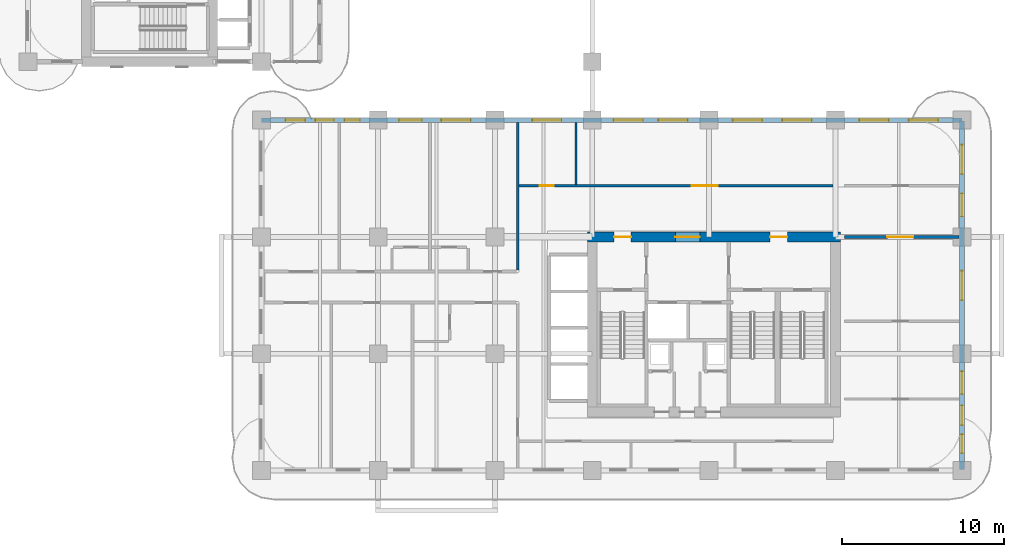
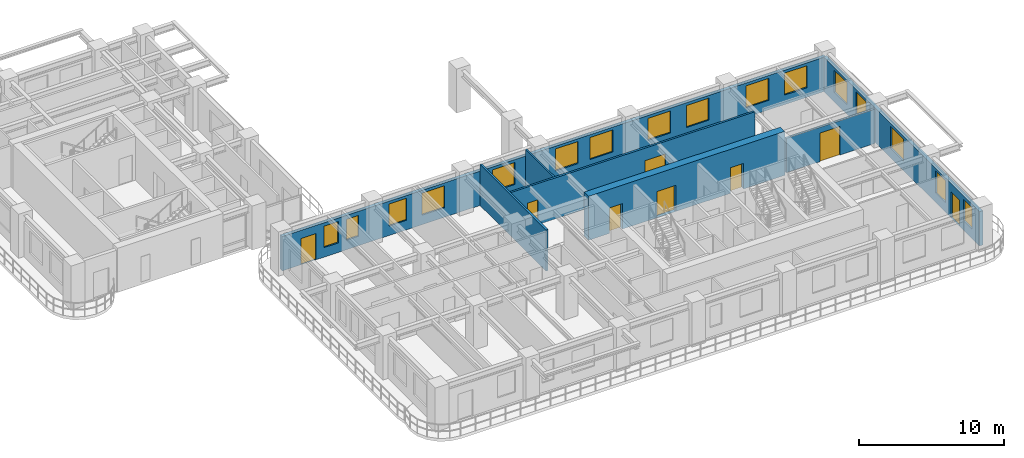
# One storey, part 9 of 18: 16 windows, 8 doors, 7 walls, 24 openings.
"""IFC4 building model written with IfcOpenShell, lengths in metres."""

from ifc_helpers import new_model, si_unit, derived_unit, direction, frame, frame_2d, origin, place, context, subcontext, project, spatial, rectangle, extrude, source, transform, mapped, material, layer, layer_set, type_object, type_shapes, element, fill, save


model = new_model("IFC4")

# Units and contexts
model_context = context("Model", 3, precision=1e-05, world=origin(), true_north=direction((0.0, 1.0)))
body_context = subcontext(model_context, "Body", "Model", "MODEL_VIEW")
ifc_project = project(units=[si_unit("LENGTHUNIT", "METRE"), si_unit("AREAUNIT", "SQUARE_METRE"), si_unit("VOLUMEUNIT", "CUBIC_METRE"), si_unit("PLANEANGLEUNIT", "RADIAN"), si_unit("MASSUNIT", "GRAM", prefix="KILO"), si_unit("THERMODYNAMICTEMPERATUREUNIT", "KELVIN"), si_unit("POWERUNIT", "WATT"), derived_unit("THERMALTRANSMITTANCEUNIT", [(si_unit("POWERUNIT", "WATT"), 1), (si_unit("AREAUNIT", "SQUARE_METRE"), -1), (si_unit("THERMODYNAMICTEMPERATUREUNIT", "KELVIN"), -1)])], contexts=[model_context])

# Site, building, storey
site_placement = place(None, origin())
site = spatial("IfcSite", under=ifc_project, at=site_placement, CompositionType="ELEMENT")
building_placement = place(site_placement, origin())
building = spatial("IfcBuilding", under=site, at=building_placement, Name="Zahravan Archway Hotel and Residences", CompositionType="ELEMENT")
storey_placement = place(building_placement, frame((0.0, 0.0, 50.89990234375)))
storey = spatial("IfcBuildingStorey", under=building, at=storey_placement, Name="L11", CompositionType="ELEMENT", Elevation=50.89990234375)

# Wall, openings, doors
ifc_material_1 = material(Name="Concrete C70/85", Category="concrete")
ifc_layer_1 = layer(ifc_material_1, 0.60009765625, Name="Concrete C70/85", Category="concrete")
ifc_layer_set_1 = layer_set([ifc_layer_1], Name="Concrete C70/85")
wall_type_1 = type_object("IfcWallType", Name="CW-CORE-600", PredefinedType="SHEAR", material=ifc_layer_set_1)
wall_1_placement = place(storey_placement, frame((34.5, 14.39990234375, 0.0), z_axis=(0.0, 0.0, 1.0), x_axis=(1.0, 0.0, 0.0)))
wall_1 = element("IfcWall", 1, at=wall_1_placement, inside=storey, type_object=wall_type_1, Name="L11 Core A Shear N Wall 600 mm", PredefinedType="SHEAR", context=body_context, shape_type="SweptSolid", body=[
    extrude(rectangle(XDim=15.60009765625, YDim=0.60009765625, at=frame_2d((7.800048828125, 0.0))), origin(), (0.0, 0.0, 1.0), 3.7001953125),
])
opening_1_placement = place(wall_1_placement, frame((5.429931640625, 0.0, 0.0)))
opening_1 = element("IfcOpeningElement", 2, at=opening_1_placement, cuts=wall_1, Name="Opening FD-L1", PredefinedType="OPENING", context=body_context, shape_type="SweptSolid", body=[
    extrude(rectangle(XDim=1.5, YDim=2.199951171875, at=frame_2d((0.75, 1.10009765625))), frame((0.0, 0.31005859375, 0.0), z_axis=(0.0, -1.0, 0.0), x_axis=(1.0, 0.0, 0.0)), (0.0, 0.0, 1.0), 0.6201171875),
])
opening_2_placement = place(wall_1_placement, frame((1.64501953125, 0.0, 0.0)))
opening_2 = element("IfcOpeningElement", 3, at=opening_2_placement, cuts=wall_1, Name="Opening FD-L2", PredefinedType="OPENING", context=body_context, shape_type="SweptSolid", body=[
    extrude(rectangle(XDim=1.050048828125, YDim=2.14990234375, at=frame_2d((0.52490234375, 1.074951171875))), frame((0.0, 0.31005859375, 0.0), z_axis=(0.0, -1.0, 0.0), x_axis=(1.0, 0.0, 0.0)), (0.0, 0.0, 1.0), 0.6201171875),
])
opening_3_placement = place(wall_1_placement, frame((11.27490234375, 0.0, 0.0)))
opening_3 = element("IfcOpeningElement", 4, at=opening_3_placement, cuts=wall_1, Name="Opening FD-L2", PredefinedType="OPENING", context=body_context, shape_type="SweptSolid", body=[
    extrude(rectangle(XDim=1.050048828125, YDim=2.14990234375, at=frame_2d((0.52490234375, 1.074951171875))), frame((0.0, 0.31005859375, 0.0), z_axis=(0.0, -1.0, 0.0), x_axis=(1.0, 0.0, 0.0)), (0.0, 0.0, 1.0), 0.6201171875),
])
ifc_material_2 = material(Name="Fire-Rated Painted Steel", Category="steel")
door_type_1 = type_object("IfcDoorType", Name="FD-LOBBY-1100", OperationType="NOTDEFINED", PredefinedType="DOOR", material=ifc_material_2)
shared_shape_1 = source(origin(), body_context, "Body", "SweptSolid", [
    extrude(rectangle(XDim=1.050048828125, YDim=2.14990234375, at=frame_2d((0.52490234375, 1.074951171875))), frame((0.0, 0.02490234375, 0.0), z_axis=(0.0, -1.0, 0.0), x_axis=(1.0, 0.0, 0.0)), (0.0, 0.0, 1.0), 0.050048828125),
])
type_shapes(door_type_1, [shared_shape_1])
door_1_placement = place(opening_2_placement, origin())
door_1 = element("IfcDoor", 5, at=door_1_placement, inside=storey, type_object=door_type_1, Name="L11 Core A West Stair Lobby Door", OperationType="SINGLE_SWING_RIGHT", OverallHeight=2.14990234375, OverallWidth=1.050048828125, PredefinedType="DOOR", context=body_context, shape_type="MappedRepresentation", body=[
    mapped(shared_shape_1, transform((0.0, 0.0, 0.0), scale=1.0)),
])
fill(opening_2, door_1)
door_2_placement = place(opening_3_placement, origin())
door_2 = element("IfcDoor", 6, at=door_2_placement, inside=storey, type_object=door_type_1, Name="L11 Core A East Stair Lobby Door", OperationType="SINGLE_SWING_LEFT", OverallHeight=2.14990234375, OverallWidth=1.050048828125, PredefinedType="DOOR", context=body_context, shape_type="MappedRepresentation", body=[
    mapped(shared_shape_1, transform((0.0, 0.0, 0.0), scale=1.0)),
])
fill(opening_3, door_2)
door_type_2 = type_object("IfcDoorType", Name="FD-LOBBY-1500", OperationType="DOUBLE_DOOR_SINGLE_SWING", PredefinedType="DOOR", material=ifc_material_2)
shared_shape_2 = source(origin(), body_context, "Body", "SweptSolid", [
    extrude(rectangle(XDim=1.5, YDim=2.199951171875, at=frame_2d((0.75, 1.10009765625))), frame((0.0, 0.02490234375, 0.0), z_axis=(0.0, -1.0, 0.0), x_axis=(1.0, 0.0, 0.0)), (0.0, 0.0, 1.0), 0.050048828125),
])
type_shapes(door_type_2, [shared_shape_2])
door_3_placement = place(opening_1_placement, origin())
door_3 = element("IfcDoor", 7, at=door_3_placement, inside=storey, type_object=door_type_2, Name="L11 Core A FSAE Lobby Main Door", OperationType="DOUBLE_DOOR_SINGLE_SWING", OverallHeight=2.199951171875, OverallWidth=1.5, PredefinedType="DOOR", context=body_context, shape_type="MappedRepresentation", body=[
    mapped(shared_shape_2, transform((0.0, 0.0, 0.0), scale=1.0)),
])
fill(opening_1, door_3)

# Wall, openings, door, windows
ifc_material_3 = material(Name="Honed Red-Ochre Sandstone & Insulated Block", Category="masonry")
ifc_layer_2 = layer(ifc_material_3, 0.280029296875, Name="Honed Red-Ochre Sandstone & Insulated Block", Category="masonry")
ifc_layer_set_2 = layer_set([ifc_layer_2], Name="Honed Red-Ochre Sandstone & Insulated Block")
wall_type_2 = type_object("IfcWallType", Name="EW-LOG-280", PredefinedType="SOLIDWALL", material=ifc_layer_set_2)
wall_2_placement = place(storey_placement, frame((57.60009765625, 0.050048828125, 0.0), z_axis=(0.0, 0.0, 1.0), x_axis=(0.0, 1.0, 0.0)))
wall_2 = element("IfcWall", 8, at=wall_2_placement, inside=storey, type_object=wall_type_2, Name="L11 Exterior Sandstone Wall WA-E", PredefinedType="SOLIDWALL", context=body_context, shape_type="SweptSolid", body=[
    extrude(rectangle(XDim=21.5, YDim=0.280029296875, at=frame_2d((10.75, 0.0))), origin(), (0.0, 0.0, 1.0), 2.885009765625),
])
opening_4_placement = place(wall_2_placement, frame((2.75, 0.0, 0.0)))
opening_4 = element("IfcOpeningElement", 9, at=opening_4_placement, cuts=wall_2, Name="Opening ED-BL1", PredefinedType="OPENING", context=body_context, shape_type="SweptSolid", body=[
    extrude(rectangle(XDim=1.199951171875, YDim=2.199951171875, at=frame_2d((0.60009765625, 1.10009765625))), frame((0.0, 0.14990234375, 0.0), z_axis=(0.0, -1.0, 0.0), x_axis=(1.0, 0.0, 0.0)), (0.0, 0.0, 1.0), 0.300048828125),
])
opening_5_placement = place(wall_2_placement, frame((1.02490234375, 0.0, 0.800048828125)))
opening_5 = element("IfcOpeningElement", 10, at=opening_5_placement, cuts=wall_2, Name="Opening W-05", PredefinedType="OPENING", context=body_context, shape_type="SweptSolid", body=[
    extrude(rectangle(XDim=1.14990234375, YDim=1.800048828125, at=frame_2d((0.574951171875, 0.89990234375))), frame((0.0, 0.14990234375, 0.0), z_axis=(0.0, -1.0, 0.0), x_axis=(1.0, 0.0, 0.0)), (0.0, 0.0, 1.0), 0.300048828125),
])
opening_6_placement = place(wall_2_placement, frame((4.654052734375, 0.0, 0.800048828125)))
opening_6 = element("IfcOpeningElement", 11, at=opening_6_placement, cuts=wall_2, Name="Opening W-03", PredefinedType="OPENING", context=body_context, shape_type="SweptSolid", body=[
    extrude(rectangle(XDim=1.39990234375, YDim=1.85009765625, at=frame_2d((0.699951171875, 0.925048828125))), frame((0.0, 0.14990234375, 0.0), z_axis=(0.0, -1.0, 0.0), x_axis=(1.0, 0.0, 0.0)), (0.0, 0.0, 1.0), 0.300048828125),
])
opening_7_placement = place(wall_2_placement, frame((10.4541015625, 0.0, 0.800048828125)))
opening_7 = element("IfcOpeningElement", 12, at=opening_7_placement, cuts=wall_2, Name="Opening W-02", PredefinedType="OPENING", context=body_context, shape_type="SweptSolid", body=[
    extrude(rectangle(XDim=1.800048828125, YDim=1.85009765625, at=frame_2d((0.89990234375, 0.925048828125))), frame((0.0, 0.14990234375, 0.0), z_axis=(0.0, -1.0, 0.0), x_axis=(1.0, 0.0, 0.0)), (0.0, 0.0, 1.0), 0.300048828125),
])
opening_8_placement = place(wall_2_placement, frame((15.62109375, 0.0, 0.800048828125)))
opening_8 = element("IfcOpeningElement", 13, at=opening_8_placement, cuts=wall_2, Name="Opening W-03", PredefinedType="OPENING", context=body_context, shape_type="SweptSolid", body=[
    extrude(rectangle(XDim=1.39990234375, YDim=1.85009765625, at=frame_2d((0.699951171875, 0.925048828125))), frame((0.0, 0.14990234375, 0.0), z_axis=(0.0, -1.0, 0.0), x_axis=(1.0, 0.0, 0.0)), (0.0, 0.0, 1.0), 0.300048828125),
])
opening_9_placement = place(wall_2_placement, frame((18.22900390625, 0.0, 0.800048828125)))
opening_9 = element("IfcOpeningElement", 14, at=opening_9_placement, cuts=wall_2, Name="Opening W-02", PredefinedType="OPENING", context=body_context, shape_type="SweptSolid", body=[
    extrude(rectangle(XDim=1.800048828125, YDim=1.85009765625, at=frame_2d((0.89990234375, 0.925048828125))), frame((0.0, 0.14990234375, 0.0), z_axis=(0.0, -1.0, 0.0), x_axis=(1.0, 0.0, 0.0)), (0.0, 0.0, 1.0), 0.300048828125),
])
ifc_material_4 = material(Name="Bronze-Anodized Glazed Aluminium", Category="aluminium")
door_type_3 = type_object("IfcDoorType", Name="ED-BALC-1200", OperationType="SLIDING_TO_LEFT", PredefinedType="DOOR", material=ifc_material_4)
shared_shape_3 = source(origin(), body_context, "Body", "SweptSolid", [
    extrude(rectangle(XDim=1.199951171875, YDim=2.199951171875, at=frame_2d((0.60009765625, 1.10009765625))), frame((0.0, 0.02490234375, 0.0), z_axis=(0.0, -1.0, 0.0), x_axis=(1.0, 0.0, 0.0)), (0.0, 0.0, 1.0), 0.050048828125),
])
type_shapes(door_type_3, [shared_shape_3])
door_4_placement = place(opening_4_placement, origin())
door_4 = element("IfcDoor", 15, at=door_4_placement, inside=storey, type_object=door_type_3, Name="L11 Outdoor Access Sliding Door (SLB-BAL-L11-EA)", OperationType="SLIDING_TO_LEFT", OverallHeight=2.199951171875, OverallWidth=1.199951171875, PredefinedType="DOOR", context=body_context, shape_type="MappedRepresentation", body=[
    mapped(shared_shape_3, transform((0.0, 0.0, 0.0), scale=1.0)),
])
fill(opening_4, door_4)
ifc_material_5 = material(Name="Bronze-Anodized Thermal-Break Aluminium & Low-E Glass", Category="aluminium")
window_type_1 = type_object("IfcWindowType", Name="WIN-TWR-1400", PartitioningType="SINGLE_PANEL", PredefinedType="WINDOW", material=ifc_material_5)
shared_shape_4 = source(origin(), body_context, "Body", "SweptSolid", [
    extrude(rectangle(XDim=1.39990234375, YDim=1.85009765625, at=frame_2d((0.699951171875, 0.925048828125))), frame((0.0, 0.030029296875, 0.0), z_axis=(0.0, -1.0, 0.0), x_axis=(1.0, 0.0, 0.0)), (0.0, 0.0, 1.0), 0.06005859375),
])
type_shapes(window_type_1, [shared_shape_4])
window_1_placement = place(opening_6_placement, origin())
window_1 = element("IfcWindow", 16, at=window_1_placement, inside=storey, type_object=window_type_1, Name="L11 Loggia Window 12", OverallHeight=1.85009765625, OverallWidth=1.39990234375, PartitioningType="SINGLE_PANEL", PredefinedType="WINDOW", context=body_context, shape_type="MappedRepresentation", body=[
    mapped(shared_shape_4, transform((0.0, 0.0, 0.0), scale=1.0)),
])
fill(opening_6, window_1)
window_2_placement = place(opening_8_placement, origin())
window_2 = element("IfcWindow", 17, at=window_2_placement, inside=storey, type_object=window_type_1, Name="L11 Loggia Window 14", OverallHeight=1.85009765625, OverallWidth=1.39990234375, PartitioningType="SINGLE_PANEL", PredefinedType="WINDOW", context=body_context, shape_type="MappedRepresentation", body=[
    mapped(shared_shape_4, transform((0.0, 0.0, 0.0), scale=1.0)),
])
fill(opening_8, window_2)
window_type_2 = type_object("IfcWindowType", Name="WIN-TWR-1800", PartitioningType="DOUBLE_PANEL_VERTICAL", PredefinedType="WINDOW", material=ifc_material_5)
shared_shape_5 = source(origin(), body_context, "Body", "SweptSolid", [
    extrude(rectangle(XDim=1.800048828125, YDim=1.85009765625, at=frame_2d((0.89990234375, 0.925048828125))), frame((0.0, 0.030029296875, 0.0), z_axis=(0.0, -1.0, 0.0), x_axis=(1.0, 0.0, 0.0)), (0.0, 0.0, 1.0), 0.06005859375),
])
type_shapes(window_type_2, [shared_shape_5])
window_3_placement = place(opening_7_placement, origin())
window_3 = element("IfcWindow", 18, at=window_3_placement, inside=storey, type_object=window_type_2, Name="L11 Loggia Window 13", OverallHeight=1.85009765625, OverallWidth=1.800048828125, PartitioningType="DOUBLE_PANEL_VERTICAL", PredefinedType="WINDOW", context=body_context, shape_type="MappedRepresentation", body=[
    mapped(shared_shape_5, transform((0.0, 0.0, 0.0), scale=1.0)),
])
fill(opening_7, window_3)
window_4_placement = place(opening_9_placement, origin())
window_4 = element("IfcWindow", 19, at=window_4_placement, inside=storey, type_object=window_type_2, Name="L11 Loggia Window 15", OverallHeight=1.85009765625, OverallWidth=1.800048828125, PartitioningType="DOUBLE_PANEL_VERTICAL", PredefinedType="WINDOW", context=body_context, shape_type="MappedRepresentation", body=[
    mapped(shared_shape_5, transform((0.0, 0.0, 0.0), scale=1.0)),
])
fill(opening_9, window_4)
window_type_3 = type_object("IfcWindowType", Name="WIN-TWR-1150", PartitioningType="SINGLE_PANEL", PredefinedType="WINDOW", material=ifc_material_5)
shared_shape_6 = source(origin(), body_context, "Body", "SweptSolid", [
    extrude(rectangle(XDim=1.14990234375, YDim=1.800048828125, at=frame_2d((0.574951171875, 0.89990234375))), frame((0.0, 0.030029296875, 0.0), z_axis=(0.0, -1.0, 0.0), x_axis=(1.0, 0.0, 0.0)), (0.0, 0.0, 1.0), 0.06005859375),
])
type_shapes(window_type_3, [shared_shape_6])
window_5_placement = place(opening_5_placement, origin())
window_5 = element("IfcWindow", 20, at=window_5_placement, inside=storey, type_object=window_type_3, Name="L11 Loggia Window 11", OverallHeight=1.800048828125, OverallWidth=1.14990234375, PartitioningType="SINGLE_PANEL", PredefinedType="WINDOW", context=body_context, shape_type="MappedRepresentation", body=[
    mapped(shared_shape_6, transform((0.0, 0.0, 0.0), scale=1.0)),
])
fill(opening_5, window_5)

wall_3_placement = place(storey_placement, frame((14.39990234375, 21.60009765625, 0.0), z_axis=(0.0, 0.0, 1.0), x_axis=(1.0, 0.0, 0.0)))
wall_3 = element("IfcWall", 21, at=wall_3_placement, inside=storey, type_object=wall_type_2, Name="L11 Exterior Sandstone Wall WA-NE", PredefinedType="SOLIDWALL", context=body_context, shape_type="SweptSolid", body=[
    extrude(rectangle(XDim=43.2001953125, YDim=0.280029296875, at=frame_2d((21.60009765625, 0.0))), origin(), (0.0, 0.0, 1.0), 2.885009765625),
])
opening_10_placement = place(wall_3_placement, frame((1.5, 0.0, 0.0)))
opening_10 = element("IfcOpeningElement", 22, at=opening_10_placement, cuts=wall_3, Name="Opening ED-BL1", PredefinedType="OPENING", context=body_context, shape_type="SweptSolid", body=[
    extrude(rectangle(XDim=1.199951171875, YDim=2.199951171875, at=frame_2d((0.60009765625, 1.10009765625))), frame((0.0, 0.14990234375, 0.0), z_axis=(0.0, -1.0, 0.0), x_axis=(1.0, 0.0, 0.0)), (0.0, 0.0, 1.0), 0.300048828125),
])
opening_11_placement = place(wall_3_placement, frame((3.321044921875, 0.0, 0.800048828125)))
opening_11 = element("IfcOpeningElement", 23, at=opening_11_placement, cuts=wall_3, Name="Opening W-05", PredefinedType="OPENING", context=body_context, shape_type="SweptSolid", body=[
    extrude(rectangle(XDim=1.14990234375, YDim=1.800048828125, at=frame_2d((0.574951171875, 0.89990234375))), frame((0.0, 0.14990234375, 0.0), z_axis=(0.0, -1.0, 0.0), x_axis=(1.0, 0.0, 0.0)), (0.0, 0.0, 1.0), 0.300048828125),
])
opening_12_placement = place(wall_3_placement, frame((5.12890625, 0.0, 0.800048828125)))
opening_12 = element("IfcOpeningElement", 24, at=opening_12_placement, cuts=wall_3, Name="Opening W-04", PredefinedType="OPENING", context=body_context, shape_type="SweptSolid", body=[
    extrude(rectangle(XDim=0.949951171875, YDim=1.75, at=frame_2d((0.47509765625, 0.875))), frame((0.0, 0.14990234375, 0.0), z_axis=(0.0, -1.0, 0.0), x_axis=(1.0, 0.0, 0.0)), (0.0, 0.0, 1.0), 0.300048828125),
])
opening_13_placement = place(wall_3_placement, frame((8.49609375, 0.0, 0.800048828125)))
opening_13 = element("IfcOpeningElement", 25, at=opening_13_placement, cuts=wall_3, Name="Opening W-03", PredefinedType="OPENING", context=body_context, shape_type="SweptSolid", body=[
    extrude(rectangle(XDim=1.39990234375, YDim=1.85009765625, at=frame_2d((0.699951171875, 0.925048828125))), frame((0.0, 0.14990234375, 0.0), z_axis=(0.0, -1.0, 0.0), x_axis=(1.0, 0.0, 0.0)), (0.0, 0.0, 1.0), 0.300048828125),
])
opening_14_placement = place(wall_3_placement, frame((11.10400390625, 0.0, 0.800048828125)))
opening_14 = element("IfcOpeningElement", 26, at=opening_14_placement, cuts=wall_3, Name="Opening W-02", PredefinedType="OPENING", context=body_context, shape_type="SweptSolid", body=[
    extrude(rectangle(XDim=1.800048828125, YDim=1.85009765625, at=frame_2d((0.89990234375, 0.925048828125))), frame((0.0, 0.14990234375, 0.0), z_axis=(0.0, -1.0, 0.0), x_axis=(1.0, 0.0, 0.0)), (0.0, 0.0, 1.0), 0.300048828125),
])
opening_15_placement = place(wall_3_placement, frame((16.700927734375, 0.0, 0.800048828125)))
opening_15 = element("IfcOpeningElement", 27, at=opening_15_placement, cuts=wall_3, Name="Opening W-02", PredefinedType="OPENING", context=body_context, shape_type="SweptSolid", body=[
    extrude(rectangle(XDim=1.800048828125, YDim=1.85009765625, at=frame_2d((0.89990234375, 0.925048828125))), frame((0.0, 0.14990234375, 0.0), z_axis=(0.0, -1.0, 0.0), x_axis=(1.0, 0.0, 0.0)), (0.0, 0.0, 1.0), 0.300048828125),
])
opening_16_placement = place(wall_3_placement, frame((21.72509765625, 0.0, 0.800048828125)))
opening_16 = element("IfcOpeningElement", 28, at=opening_16_placement, cuts=wall_3, Name="Opening W-02", PredefinedType="OPENING", context=body_context, shape_type="SweptSolid", body=[
    extrude(rectangle(XDim=1.800048828125, YDim=1.85009765625, at=frame_2d((0.89990234375, 0.925048828125))), frame((0.0, 0.14990234375, 0.0), z_axis=(0.0, -1.0, 0.0), x_axis=(1.0, 0.0, 0.0)), (0.0, 0.0, 1.0), 0.300048828125),
])
opening_17_placement = place(wall_3_placement, frame((24.47509765625, 0.0, 0.800048828125)))
opening_17 = element("IfcOpeningElement", 29, at=opening_17_placement, cuts=wall_3, Name="Opening W-02", PredefinedType="OPENING", context=body_context, shape_type="SweptSolid", body=[
    extrude(rectangle(XDim=1.800048828125, YDim=1.85009765625, at=frame_2d((0.89990234375, 0.925048828125))), frame((0.0, 0.14990234375, 0.0), z_axis=(0.0, -1.0, 0.0), x_axis=(1.0, 0.0, 0.0)), (0.0, 0.0, 1.0), 0.300048828125),
])
opening_18_placement = place(wall_3_placement, frame((29.074951171875, 0.0, 0.800048828125)))
opening_18 = element("IfcOpeningElement", 30, at=opening_18_placement, cuts=wall_3, Name="Opening W-02", PredefinedType="OPENING", context=body_context, shape_type="SweptSolid", body=[
    extrude(rectangle(XDim=1.800048828125, YDim=1.85009765625, at=frame_2d((0.89990234375, 0.925048828125))), frame((0.0, 0.14990234375, 0.0), z_axis=(0.0, -1.0, 0.0), x_axis=(1.0, 0.0, 0.0)), (0.0, 0.0, 1.0), 0.300048828125),
])
opening_19_placement = place(wall_3_placement, frame((32.125, 0.0, 0.800048828125)))
opening_19 = element("IfcOpeningElement", 31, at=opening_19_placement, cuts=wall_3, Name="Opening W-02", PredefinedType="OPENING", context=body_context, shape_type="SweptSolid", body=[
    extrude(rectangle(XDim=1.800048828125, YDim=1.85009765625, at=frame_2d((0.89990234375, 0.925048828125))), frame((0.0, 0.14990234375, 0.0), z_axis=(0.0, -1.0, 0.0), x_axis=(1.0, 0.0, 0.0)), (0.0, 0.0, 1.0), 0.300048828125),
])
opening_20_placement = place(wall_3_placement, frame((36.875, 0.0, 0.800048828125)))
opening_20 = element("IfcOpeningElement", 32, at=opening_20_placement, cuts=wall_3, Name="Opening W-02", PredefinedType="OPENING", context=body_context, shape_type="SweptSolid", body=[
    extrude(rectangle(XDim=1.800048828125, YDim=1.85009765625, at=frame_2d((0.89990234375, 0.925048828125))), frame((0.0, 0.14990234375, 0.0), z_axis=(0.0, -1.0, 0.0), x_axis=(1.0, 0.0, 0.0)), (0.0, 0.0, 1.0), 0.300048828125),
])
opening_21_placement = place(wall_3_placement, frame((39.925048828125, 0.0, 0.800048828125)))
opening_21 = element("IfcOpeningElement", 33, at=opening_21_placement, cuts=wall_3, Name="Opening W-02", PredefinedType="OPENING", context=body_context, shape_type="SweptSolid", body=[
    extrude(rectangle(XDim=1.800048828125, YDim=1.85009765625, at=frame_2d((0.89990234375, 0.925048828125))), frame((0.0, 0.14990234375, 0.0), z_axis=(0.0, -1.0, 0.0), x_axis=(1.0, 0.0, 0.0)), (0.0, 0.0, 1.0), 0.300048828125),
])
door_5_placement = place(opening_10_placement, origin())
door_5 = element("IfcDoor", 34, at=door_5_placement, inside=storey, type_object=door_type_3, Name="L11 Outdoor Access Sliding Door (SLB-BAL-L11-WA)", OperationType="SLIDING_TO_LEFT", OverallHeight=2.199951171875, OverallWidth=1.199951171875, PredefinedType="DOOR", context=body_context, shape_type="MappedRepresentation", body=[
    mapped(shared_shape_3, transform((0.0, 0.0, 0.0), scale=1.0)),
])
fill(opening_10, door_5)
window_6_placement = place(opening_13_placement, origin())
window_6 = element("IfcWindow", 35, at=window_6_placement, inside=storey, type_object=window_type_1, Name="L11 Loggia Window 18", OverallHeight=1.85009765625, OverallWidth=1.39990234375, PartitioningType="SINGLE_PANEL", PredefinedType="WINDOW", context=body_context, shape_type="MappedRepresentation", body=[
    mapped(shared_shape_4, transform((0.0, 0.0, 0.0), scale=1.0)),
])
fill(opening_13, window_6)
window_type_4 = type_object("IfcWindowType", Name="WIN-NAR-950", PartitioningType="SINGLE_PANEL", PredefinedType="WINDOW", material=ifc_material_5)
shared_shape_7 = source(origin(), body_context, "Body", "SweptSolid", [
    extrude(rectangle(XDim=0.949951171875, YDim=1.75, at=frame_2d((0.47509765625, 0.875))), frame((0.0, 0.030029296875, 0.0), z_axis=(0.0, -1.0, 0.0), x_axis=(1.0, 0.0, 0.0)), (0.0, 0.0, 1.0), 0.06005859375),
])
type_shapes(window_type_4, [shared_shape_7])
window_7_placement = place(opening_12_placement, origin())
window_7 = element("IfcWindow", 36, at=window_7_placement, inside=storey, type_object=window_type_4, Name="L11 Loggia Window 17", OverallHeight=1.75, OverallWidth=0.949951171875, PartitioningType="SINGLE_PANEL", PredefinedType="WINDOW", context=body_context, shape_type="MappedRepresentation", body=[
    mapped(shared_shape_7, transform((0.0, 0.0, 0.0), scale=1.0)),
])
fill(opening_12, window_7)
window_8_placement = place(opening_14_placement, origin())
window_8 = element("IfcWindow", 37, at=window_8_placement, inside=storey, type_object=window_type_2, Name="L11 Loggia Window 19", OverallHeight=1.85009765625, OverallWidth=1.800048828125, PartitioningType="DOUBLE_PANEL_VERTICAL", PredefinedType="WINDOW", context=body_context, shape_type="MappedRepresentation", body=[
    mapped(shared_shape_5, transform((0.0, 0.0, 0.0), scale=1.0)),
])
fill(opening_14, window_8)
window_9_placement = place(opening_15_placement, origin())
window_9 = element("IfcWindow", 38, at=window_9_placement, inside=storey, type_object=window_type_2, Name="L11 Loggia Window 20", OverallHeight=1.85009765625, OverallWidth=1.800048828125, PartitioningType="DOUBLE_PANEL_VERTICAL", PredefinedType="WINDOW", context=body_context, shape_type="MappedRepresentation", body=[
    mapped(shared_shape_5, transform((0.0, 0.0, 0.0), scale=1.0)),
])
fill(opening_15, window_9)
window_10_placement = place(opening_16_placement, origin())
window_10 = element("IfcWindow", 39, at=window_10_placement, inside=storey, type_object=window_type_2, Name="L11 Loggia Window 21", OverallHeight=1.85009765625, OverallWidth=1.800048828125, PartitioningType="DOUBLE_PANEL_VERTICAL", PredefinedType="WINDOW", context=body_context, shape_type="MappedRepresentation", body=[
    mapped(shared_shape_5, transform((0.0, 0.0, 0.0), scale=1.0)),
])
fill(opening_16, window_10)
window_11_placement = place(opening_17_placement, origin())
window_11 = element("IfcWindow", 40, at=window_11_placement, inside=storey, type_object=window_type_2, Name="L11 Loggia Window 22", OverallHeight=1.85009765625, OverallWidth=1.800048828125, PartitioningType="DOUBLE_PANEL_VERTICAL", PredefinedType="WINDOW", context=body_context, shape_type="MappedRepresentation", body=[
    mapped(shared_shape_5, transform((0.0, 0.0, 0.0), scale=1.0)),
])
fill(opening_17, window_11)
window_12_placement = place(opening_18_placement, origin())
window_12 = element("IfcWindow", 41, at=window_12_placement, inside=storey, type_object=window_type_2, Name="L11 Loggia Window 23", OverallHeight=1.85009765625, OverallWidth=1.800048828125, PartitioningType="DOUBLE_PANEL_VERTICAL", PredefinedType="WINDOW", context=body_context, shape_type="MappedRepresentation", body=[
    mapped(shared_shape_5, transform((0.0, 0.0, 0.0), scale=1.0)),
])
fill(opening_18, window_12)
window_13_placement = place(opening_19_placement, origin())
window_13 = element("IfcWindow", 42, at=window_13_placement, inside=storey, type_object=window_type_2, Name="L11 Loggia Window 24", OverallHeight=1.85009765625, OverallWidth=1.800048828125, PartitioningType="DOUBLE_PANEL_VERTICAL", PredefinedType="WINDOW", context=body_context, shape_type="MappedRepresentation", body=[
    mapped(shared_shape_5, transform((0.0, 0.0, 0.0), scale=1.0)),
])
fill(opening_19, window_13)
window_14_placement = place(opening_20_placement, origin())
window_14 = element("IfcWindow", 43, at=window_14_placement, inside=storey, type_object=window_type_2, Name="L11 Loggia Window 25", OverallHeight=1.85009765625, OverallWidth=1.800048828125, PartitioningType="DOUBLE_PANEL_VERTICAL", PredefinedType="WINDOW", context=body_context, shape_type="MappedRepresentation", body=[
    mapped(shared_shape_5, transform((0.0, 0.0, 0.0), scale=1.0)),
])
fill(opening_20, window_14)
window_15_placement = place(opening_21_placement, origin())
window_15 = element("IfcWindow", 44, at=window_15_placement, inside=storey, type_object=window_type_2, Name="L11 Loggia Window 26", OverallHeight=1.85009765625, OverallWidth=1.800048828125, PartitioningType="DOUBLE_PANEL_VERTICAL", PredefinedType="WINDOW", context=body_context, shape_type="MappedRepresentation", body=[
    mapped(shared_shape_5, transform((0.0, 0.0, 0.0), scale=1.0)),
])
fill(opening_21, window_15)
window_16_placement = place(opening_11_placement, origin())
window_16 = element("IfcWindow", 45, at=window_16_placement, inside=storey, type_object=window_type_3, Name="L11 Loggia Window 16", OverallHeight=1.800048828125, OverallWidth=1.14990234375, PartitioningType="SINGLE_PANEL", PredefinedType="WINDOW", context=body_context, shape_type="MappedRepresentation", body=[
    mapped(shared_shape_6, transform((0.0, 0.0, 0.0), scale=1.0)),
])
fill(opening_11, window_16)

# Wall
ifc_material_6 = material(Name="Fire-Rated Gypsum & Concrete Block", Category="concrete")
ifc_layer_3 = layer(ifc_material_6, 0.159912109375, Name="Fire-Rated Gypsum & Concrete Block", Category="concrete")
ifc_layer_set_3 = layer_set([ifc_layer_3], Name="Fire-Rated Gypsum & Concrete Block")
wall_type_3 = type_object("IfcWallType", Name="PW-CORR-160", PredefinedType="PARTITIONING", material=ifc_layer_set_3)
wall_4_placement = place(storey_placement, frame((30.199951171875, 12.360107421875, 0.0), z_axis=(0.0, 0.0, 1.0), x_axis=(0.0, 1.0, 0.0)))
element("IfcWall", 46, at=wall_4_placement, inside=storey, type_object=wall_type_3, Name="L11 Partition WA-FW", PredefinedType="PARTITIONING", context=body_context, shape_type="SweptSolid", body=[
    extrude(rectangle(XDim=9.099853515625, YDim=0.159912109375, at=frame_2d((4.5498046875, 0.0))), origin(), (0.0, 0.0, 1.0), 3.4501953125),
])

# Wall, openings, doors
wall_5_placement = place(storey_placement, frame((30.2900390625, 17.550048828125, 0.0), z_axis=(0.0, 0.0, 1.0), x_axis=(1.0, 0.0, 0.0)))
wall_5 = element("IfcWall", 47, at=wall_5_placement, inside=storey, type_object=wall_type_3, Name="L11 Partition WA-FN", PredefinedType="PARTITIONING", context=body_context, shape_type="SweptSolid", body=[
    extrude(rectangle(XDim=19.369873046875, YDim=0.159912109375, at=frame_2d((9.68505859375, 0.0))), origin(), (0.0, 0.0, 1.0), 3.4501953125),
])
opening_22_placement = place(wall_5_placement, frame((1.284912109375, 0.0, 0.0)))
opening_22 = element("IfcOpeningElement", 48, at=opening_22_placement, cuts=wall_5, Name="Opening D-B1", PredefinedType="OPENING", context=body_context, shape_type="SweptSolid", body=[
    extrude(rectangle(XDim=0.85009765625, YDim=2.10009765625, at=frame_2d((0.425048828125, 1.050048828125))), frame((0.0, 0.08984375, 0.0), z_axis=(0.0, -1.0, 0.0), x_axis=(1.0, 0.0, 0.0)), (0.0, 0.0, 1.0), 0.179931640625),
])
opening_23_placement = place(wall_5_placement, frame((10.659912109375, 0.0, 0.0)))
opening_23 = element("IfcOpeningElement", 49, at=opening_23_placement, cuts=wall_5, Name="Opening D-P2", PredefinedType="OPENING", context=body_context, shape_type="SweptSolid", body=[
    extrude(rectangle(XDim=1.60009765625, YDim=2.39990234375, at=frame_2d((0.800048828125, 1.199951171875))), frame((0.0, 0.08984375, 0.0), z_axis=(0.0, -1.0, 0.0), x_axis=(1.0, 0.0, 0.0)), (0.0, 0.0, 1.0), 0.179931640625),
])
door_type_4 = type_object("IfcDoorType", Name="ID-PUBLIC-1600", OperationType="DOUBLE_DOOR_SINGLE_SWING", PredefinedType="DOOR", material=ifc_material_4)
shared_shape_8 = source(origin(), body_context, "Body", "SweptSolid", [
    extrude(rectangle(XDim=1.60009765625, YDim=2.39990234375, at=frame_2d((0.800048828125, 1.199951171875))), frame((0.0, 0.02490234375, 0.0), z_axis=(0.0, -1.0, 0.0), x_axis=(1.0, 0.0, 0.0)), (0.0, 0.0, 1.0), 0.050048828125),
])
type_shapes(door_type_4, [shared_shape_8])
door_6_placement = place(opening_23_placement, origin())
door_6 = element("IfcDoor", 50, at=door_6_placement, inside=storey, type_object=door_type_4, Name="L11 North Fitness Gym Door", OperationType="DOUBLE_DOOR_SINGLE_SWING", OverallHeight=2.39990234375, OverallWidth=1.60009765625, PredefinedType="DOOR", context=body_context, shape_type="MappedRepresentation", body=[
    mapped(shared_shape_8, transform((0.0, 0.0, 0.0), scale=1.0)),
])
fill(opening_23, door_6)
ifc_material_7 = material(Name="Hardwood Veneer Timber", Category="wood")
door_type_5 = type_object("IfcDoorType", Name="ID-BATH-850", OperationType="NOTDEFINED", PredefinedType="DOOR", material=ifc_material_7)
shared_shape_9 = source(origin(), body_context, "Body", "SweptSolid", [
    extrude(rectangle(XDim=0.85009765625, YDim=2.10009765625, at=frame_2d((0.425048828125, 1.050048828125))), frame((0.0, 0.02490234375, 0.0), z_axis=(0.0, -1.0, 0.0), x_axis=(1.0, 0.0, 0.0)), (0.0, 0.0, 1.0), 0.050048828125),
])
type_shapes(door_type_5, [shared_shape_9])
door_7_placement = place(opening_22_placement, origin())
door_7 = element("IfcDoor", 51, at=door_7_placement, inside=storey, type_object=door_type_5, Name="L11 Accessible Restroom Door", OperationType="SINGLE_SWING_LEFT", OverallHeight=2.10009765625, OverallWidth=0.85009765625, PredefinedType="DOOR", context=body_context, shape_type="MappedRepresentation", body=[
    mapped(shared_shape_9, transform((0.0, 0.0, 0.0), scale=1.0)),
])
fill(opening_22, door_7)

# Wall, opening, door
ifc_material_8 = material(Name="Acoustic Stud Partition")
ifc_layer_4 = layer(ifc_material_8, 0.169921875, Name="Acoustic Stud Partition")
ifc_layer_set_4 = layer_set([ifc_layer_4], Name="Acoustic Stud Partition")
wall_type_4 = type_object("IfcWallType", Name="PW-UNIT-170", PredefinedType="PARTITIONING", material=ifc_layer_set_4)
wall_6_placement = place(storey_placement, frame((50.340087890625, 14.39990234375, 0.0), z_axis=(0.0, 0.0, 1.0), x_axis=(1.0, 0.0, 0.0)))
wall_6 = element("IfcWall", 52, at=wall_6_placement, inside=storey, type_object=wall_type_4, Name="L11 Partition EA-PS", PredefinedType="PARTITIONING", context=body_context, shape_type="SweptSolid", body=[
    extrude(rectangle(XDim=7.06982421875, YDim=0.169921875, at=frame_2d((3.534912109375, 0.0))), origin(), (0.0, 0.0, 1.0), 2.885009765625),
])
opening_24_placement = place(wall_6_placement, frame((2.659912109375, 0.0, 0.0)))
opening_24 = element("IfcOpeningElement", 53, at=opening_24_placement, cuts=wall_6, Name="Opening D-P2", PredefinedType="OPENING", context=body_context, shape_type="SweptSolid", body=[
    extrude(rectangle(XDim=1.60009765625, YDim=2.39990234375, at=frame_2d((0.800048828125, 1.199951171875))), frame((0.0, 0.094970703125, 0.0), z_axis=(0.0, -1.0, 0.0), x_axis=(1.0, 0.0, 0.0)), (0.0, 0.0, 1.0), 0.18994140625),
])
door_8_placement = place(opening_24_placement, origin())
door_8 = element("IfcDoor", 54, at=door_8_placement, inside=storey, type_object=door_type_4, Name="L11 East Banquet Dining Door", OperationType="DOUBLE_DOOR_SINGLE_SWING", OverallHeight=2.39990234375, OverallWidth=1.60009765625, PredefinedType="DOOR", context=body_context, shape_type="MappedRepresentation", body=[
    mapped(shared_shape_8, transform((0.0, 0.0, 0.0), scale=1.0)),
])
fill(opening_24, door_8)

# Wall
ifc_material_9 = material(Name="Moisture-Resistant Blockwork", Category="masonry")
ifc_layer_5 = layer(ifc_material_9, 0.139892578125, Name="Moisture-Resistant Blockwork", Category="masonry")
ifc_layer_set_5 = layer_set([ifc_layer_5], Name="Moisture-Resistant Blockwork")
wall_type_5 = type_object("IfcWallType", Name="PW-WET-140", PredefinedType="PARTITIONING", material=ifc_layer_set_5)
wall_7_placement = place(storey_placement, frame((33.800048828125, 17.639892578125, 0.0), z_axis=(0.0, 0.0, 1.0), x_axis=(0.0, 1.0, 0.0)))
element("IfcWall", 55, at=wall_7_placement, inside=storey, type_object=wall_type_5, Name="L11 Partition NE1-1", PredefinedType="PARTITIONING", context=body_context, shape_type="SweptSolid", body=[
    extrude(rectangle(XDim=3.81201171875, YDim=0.139892578125, at=frame_2d((1.906005859375, 0.0))), origin(), (0.0, 0.0, 1.0), 3.4501953125),
])

save(model, "model.ifc")
